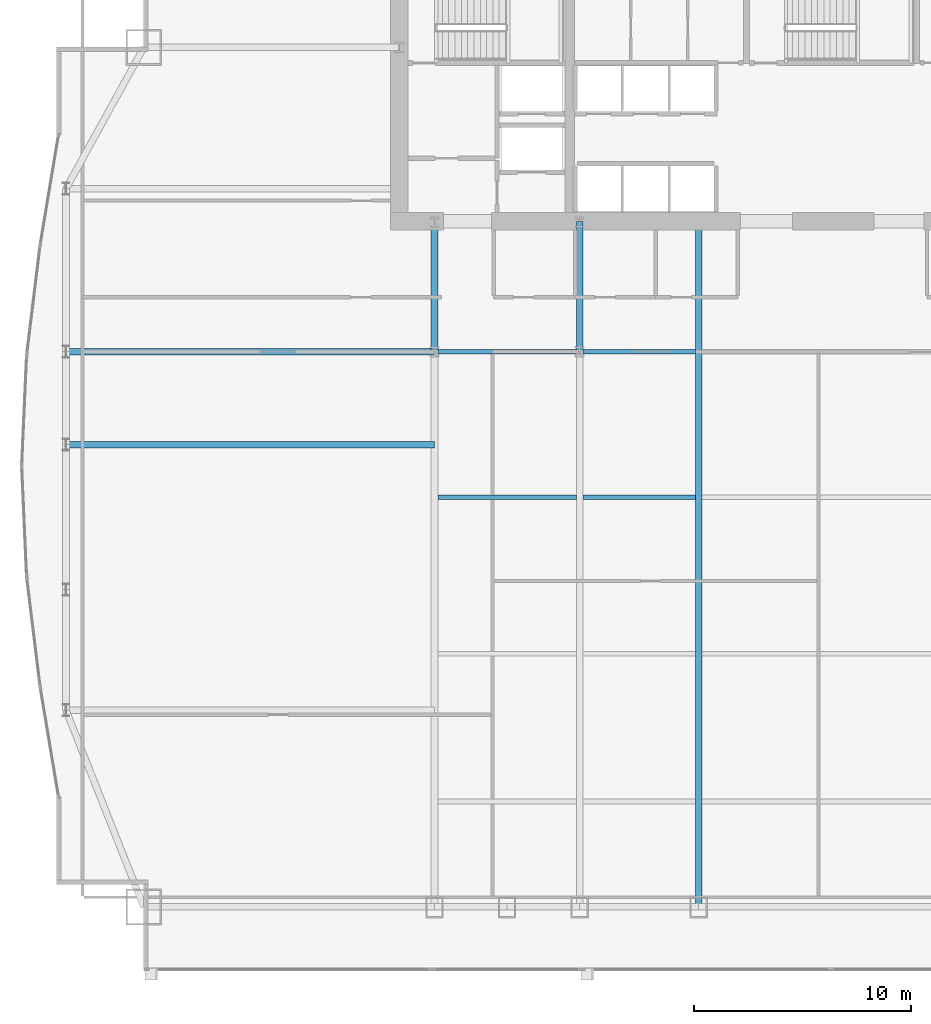
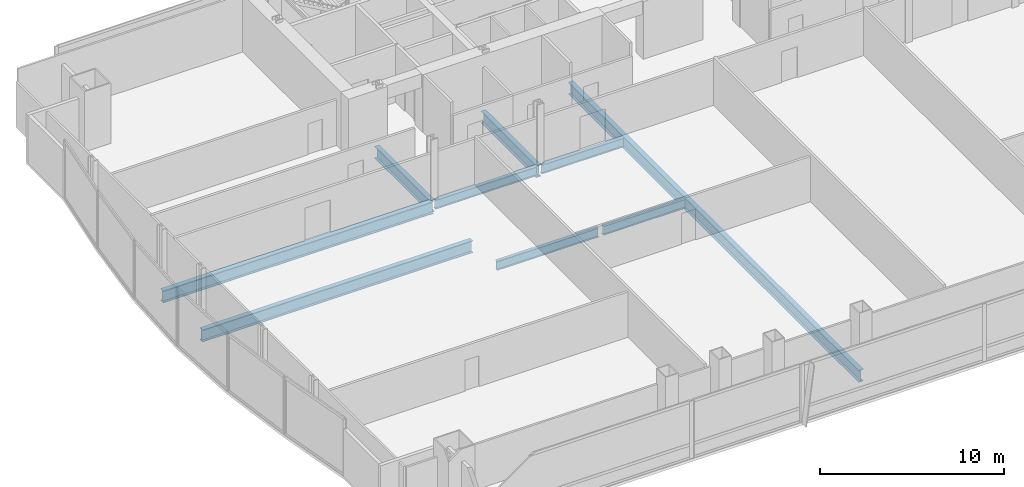
# One storey, part 11 of 32: 9 beams.
"""IFC4 building model written with IfcOpenShell, lengths in metres."""

from ifc_helpers import new_model, si_unit, direction, frame, origin, origin_2d, place, context, subcontext, project, spatial, i_section, extrude, material, material_profile, profile_set, type_object, element, save


model = new_model("IFC4")

# Units and contexts
model_context = context("Model", 3, precision=1e-05, world=origin(), true_north=direction((0.0, 1.0)))
body_context = subcontext(model_context, "Body", "Model", "MODEL_VIEW")
ifc_project = project(units=[si_unit("LENGTHUNIT", "METRE"), si_unit("AREAUNIT", "SQUARE_METRE"), si_unit("VOLUMEUNIT", "CUBIC_METRE"), si_unit("PLANEANGLEUNIT", "RADIAN"), si_unit("MASSUNIT", "GRAM", prefix="KILO")], contexts=[model_context])

# Site, building, storey
site_placement = place(None, origin())
site = spatial("IfcSite", under=ifc_project, at=site_placement, CompositionType="ELEMENT")
building_placement = place(site_placement, origin())
building = spatial("IfcBuilding", under=site, at=building_placement, Name="Khoronbel Lancet Exchange", CompositionType="ELEMENT")
storey_placement = place(building_placement, frame((0.0, 0.0, 41.800048828125)))
storey = spatial("IfcBuildingStorey", under=building, at=storey_placement, Name="L09", CompositionType="ELEMENT", Elevation=41.800048828125)

# Beams
ifc_material = material(Name="Steel S355", Category="steel")
ifc_material_profile_1 = material_profile(ifc_material, i_section(OverallWidth=0.300048828125, OverallDepth=0.800048828125, WebThickness=0.017578125, FlangeThickness=0.032958984375, at=origin_2d()), Name="HEB 800")
ifc_profile_set_1 = profile_set([ifc_material_profile_1], Name="Steel S355")
beam_type_1 = type_object("IfcBeamType", Name="BM-BG2", PredefinedType="BEAM", material=ifc_profile_set_1)
for number, where, z_axis, x_axis, name in (
    (1, (18.22509765625, 35.699951171875, -0.580078125), (0.0, 1.0, 0.0), (-1.0, 0.0, 0.0), "Level L09 spine tie girder GN1"),
    (2, (24.89990234375, 35.699951171875, -0.580078125), (0.0, 1.0, 0.0), (-1.0, 0.0, 0.0), "Level L09 spine tie girder GN2"),
):
    element("IfcBeam", number, at=place(storey_placement, frame(where, z_axis=z_axis, x_axis=x_axis)), inside=storey, type_object=beam_type_1, Name=name, PredefinedType="BEAM", context=body_context, shape_type="SweptSolid", body=[
        extrude(i_section(OverallWidth=0.300048828125, OverallDepth=0.800048828125, WebThickness=0.017578125, FlangeThickness=0.032958984375, at=origin_2d()), origin(), (0.0, 0.0, 1.0), 6.0),
    ])
beam_1_placement = place(storey_placement, frame((30.375, 10.14990234375, -0.580078125), z_axis=(0.0, 1.0, 0.0), x_axis=(-1.0, 0.0, 0.0)))
element("IfcBeam", 3, at=beam_1_placement, inside=storey, type_object=beam_type_1, Name="Level L09 primary floor girder G3", PredefinedType="BEAM", context=body_context, shape_type="SweptSolid", body=[
    extrude(i_section(OverallWidth=0.300048828125, OverallDepth=0.800048828125, WebThickness=0.017578125, FlangeThickness=0.032958984375, at=origin_2d()), origin(), (0.0, 0.0, 1.0), 31.550048828125),
])
for number, where, z_axis, x_axis, name in (
    (4, (1.27001953125, 31.425048828125, -0.580078125), (1.0, 0.0, 0.0), (0.0, 1.0, 0.0), "Level L09 west lens tie girder LG2W"),
    (5, (1.27001953125, 35.699951171875, -0.580078125), (1.0, 0.0, 0.0), (0.0, 1.0, 0.0), "Level L09 west lens tie girder LG4W"),
):
    element("IfcBeam", number, at=place(storey_placement, frame(where, z_axis=z_axis, x_axis=x_axis)), inside=storey, type_object=beam_type_1, Name=name, PredefinedType="BEAM", context=body_context, shape_type="SweptSolid", body=[
        extrude(i_section(OverallWidth=0.300048828125, OverallDepth=0.800048828125, WebThickness=0.017578125, FlangeThickness=0.032958984375, at=origin_2d()), origin(), (0.0, 0.0, 1.0), 16.955078125),
    ])
ifc_material_profile_2 = material_profile(ifc_material, i_section(OverallWidth=0.219970703125, OverallDepth=0.60009765625, WebThickness=0.011962890625, FlangeThickness=0.01904296875, at=origin_2d()), Name="IPE 600")
ifc_profile_set_2 = profile_set([ifc_material_profile_2], Name="Steel S355")
beam_type_2 = type_object("IfcBeamType", Name="BM-BJ1", PredefinedType="JOIST", material=ifc_profile_set_2)
beam_2_placement = place(storey_placement, frame((18.375, 29.0, -0.47998046875), z_axis=(1.0, 0.0, 0.0), x_axis=(0.0, 1.0, 0.0)))
element("IfcBeam", 6, at=beam_2_placement, inside=storey, type_object=beam_type_2, Name="Level L09 secondary composite joist J11", PredefinedType="JOIST", context=body_context, shape_type="SweptSolid", body=[
    extrude(i_section(OverallWidth=0.219970703125, OverallDepth=0.60009765625, WebThickness=0.011962890625, FlangeThickness=0.01904296875, at=origin_2d()), origin(), (0.0, 0.0, 1.0), 6.375),
])
beam_3_placement = place(storey_placement, frame((25.050048828125, 29.0, -0.47998046875), z_axis=(1.0, 0.0, 0.0), x_axis=(0.0, 1.0, 0.0)))
element("IfcBeam", 7, at=beam_3_placement, inside=storey, type_object=beam_type_2, Name="Level L09 secondary composite joist J12", PredefinedType="JOIST", context=body_context, shape_type="SweptSolid", body=[
    extrude(i_section(OverallWidth=0.219970703125, OverallDepth=0.60009765625, WebThickness=0.011962890625, FlangeThickness=0.01904296875, at=origin_2d()), origin(), (0.0, 0.0, 1.0), 5.175048828125),
])
beam_4_placement = place(storey_placement, frame((18.375, 35.699951171875, -0.47998046875), z_axis=(1.0, 0.0, 0.0), x_axis=(0.0, 1.0, 0.0)))
element("IfcBeam", 8, at=beam_4_placement, inside=storey, type_object=beam_type_2, Name="Level L09 secondary composite joist J16", PredefinedType="JOIST", context=body_context, shape_type="SweptSolid", body=[
    extrude(i_section(OverallWidth=0.219970703125, OverallDepth=0.60009765625, WebThickness=0.011962890625, FlangeThickness=0.01904296875, at=origin_2d()), origin(), (0.0, 0.0, 1.0), 6.375),
])
beam_5_placement = place(storey_placement, frame((25.050048828125, 35.699951171875, -0.47998046875), z_axis=(1.0, 0.0, 0.0), x_axis=(0.0, 1.0, 0.0)))
element("IfcBeam", 9, at=beam_5_placement, inside=storey, type_object=beam_type_2, Name="Level L09 secondary composite joist J17", PredefinedType="JOIST", context=body_context, shape_type="SweptSolid", body=[
    extrude(i_section(OverallWidth=0.219970703125, OverallDepth=0.60009765625, WebThickness=0.011962890625, FlangeThickness=0.01904296875, at=origin_2d()), origin(), (0.0, 0.0, 1.0), 5.175048828125),
])

save(model, "model.ifc")
